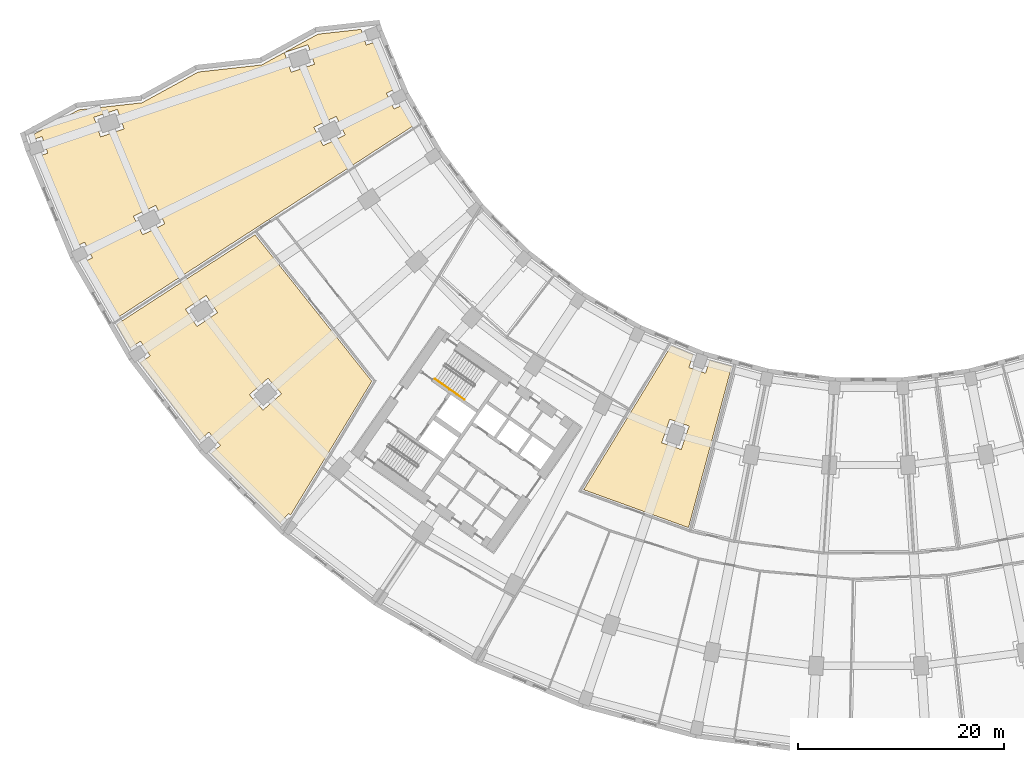
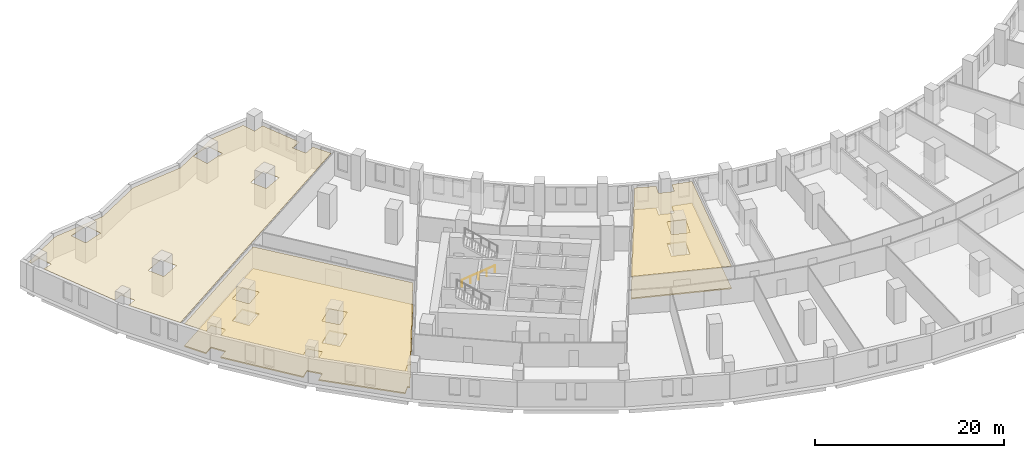
# One storey, part 16 of 20: 5 coverings, 1 railing.
"""IFC4 building model written with IfcOpenShell, lengths in metres."""

from ifc_helpers import new_model, si_unit, direction, frame, origin, origin_2d, place, context, subcontext, project, spatial, polyline, circle, outline, extrude, material, layer, layer_set, type_object, element, save


model = new_model("IFC4")

# Units and contexts
model_context = context("Model", 3, precision=1e-05, world=origin(), true_north=direction((0.0, 1.0)))
body_context = subcontext(model_context, "Body", "Model", "MODEL_VIEW")
ifc_project = project(units=[si_unit("LENGTHUNIT", "METRE"), si_unit("AREAUNIT", "SQUARE_METRE"), si_unit("VOLUMEUNIT", "CUBIC_METRE"), si_unit("PLANEANGLEUNIT", "RADIAN"), si_unit("MASSUNIT", "GRAM", prefix="KILO")], contexts=[model_context])

# Site, building, storey
site_placement = place(None, origin())
site = spatial("IfcSite", under=ifc_project, at=site_placement, CompositionType="ELEMENT")
building_placement = place(site_placement, origin())
building = spatial("IfcBuilding", under=site, at=building_placement, Name="Qamariyya Broadcast Tower", CompositionType="ELEMENT")
storey_placement = place(building_placement, frame((0.0, 0.0, 31.5)))
storey = spatial("IfcBuildingStorey", under=building, at=storey_placement, Name="L04", CompositionType="ELEMENT", Elevation=31.5)

# Coverings
ifc_material_1 = material(Name="Raised access floor")
ifc_layer_1 = layer(ifc_material_1, 0.14990234375)
ifc_layer_set_1 = layer_set([ifc_layer_1], Name="Raised access floor 150")
covering_type_1 = type_object("IfcCoveringType", Name="Raised access floor 150", PredefinedType="FLOORING", material=ifc_layer_set_1)
covering_1_placement = place(storey_placement, origin())
element("IfcCovering", 1, at=covering_1_placement, inside=storey, type_object=covering_type_1, Name="Flooring L04-F02", PredefinedType="FLOORING", context=body_context, shape_type="SweptSolid", body=[
    extrude(outline(polyline([(-19.132080078125, -46.566650390625), (-17.004150390625, -47.447998046875), (-17.42333984375, -48.68310546875), (-15.8134765625, -49.2294921875), (-15.394287109375, -47.99462890625), (-13.271240234375, -48.5634765625), (-17.460205078125, -64.196044921875), (-27.6181640625, -60.521728515625), (-19.132080078125, -46.566650390625)]), holes=[polyline([(-20.056396484375, -55.9736328125), (-18.16259765625, -56.616455078125), (-17.39111328125, -54.34375), (-19.28515625, -53.700927734375), (-20.056396484375, -55.9736328125)])]), origin(), (0.0, 0.0, 1.0), 0.14990234375),
])
covering_2_placement = place(storey_placement, origin())
element("IfcCovering", 2, at=covering_2_placement, inside=storey, type_object=covering_type_1, Name="Flooring L04-F09", PredefinedType="FLOORING", context=body_context, shape_type="SweptSolid", body=[
    extrude(outline(polyline([(-56.031494140625, -62.986572265625), (-56.221923828125, -62.819580078125), (-57.00830078125, -63.716552734375), (-63.716552734375, -57.00830078125), (-62.819580078125, -56.221923828125), (-63.9404296875, -54.94384765625), (-64.83740234375, -55.730224609375), (-70.6123046875, -48.2041015625), (-69.62060546875, -47.541259765625), (-70.565185546875, -46.1279296875), (-71.556884765625, -46.79052734375), (-72.88134765625, -44.49658203125), (-59.47216796875, -35.803466796875), (-48.15087890625, -50.012939453125), (-56.031494140625, -62.986572265625)]), holes=[polyline([(-58.212646484375, -49.72119140625), (-60.01708984375, -51.303466796875), (-58.698486328125, -52.80712890625), (-56.89404296875, -51.224853515625), (-58.212646484375, -49.72119140625)]), polyline([(-66.2001953125, -43.03076171875), (-65.0888671875, -44.69384765625), (-63.093505859375, -43.3603515625), (-64.20458984375, -41.697509765625), (-66.2001953125, -43.03076171875)])]), origin(), (0.0, 0.0, 1.0), 0.14990234375),
])

# Railing
ifc_material_2 = material(Name="Stainless steel", Category="steel")
railing_type = type_object("IfcRailingType", Name="Stair handrail", PredefinedType="HANDRAIL", material=ifc_material_2)
railing_placement = place(storey_placement, frame((-42.03564453125, -49.79443359375, 0.173095703125)))
element("IfcRailing", 3, at=railing_placement, inside=storey, type_object=railing_type, Name="L04 ST-W2 stair handrail 1", PredefinedType="HANDRAIL", context=body_context, shape_type="SweptSolid", body=[
    extrude(circle(Radius=0.02392578125, at=origin_2d()), frame((0.0, 0.0, 0.8759765625), z_axis=(0.703392637411, -0.492543525477, 0.512483827206), x_axis=(0.573594173421, 0.819139624372, 0.0)), (0.0, 0.0, 1.0), 4.052734375),
    extrude(circle(Radius=0.02099609375, at=origin_2d()), origin(), (0.0, 0.0, 1.0), 0.851806640625),
    extrude(circle(Radius=0.02099609375, at=origin_2d()), frame((0.712646484375, -0.4990234375, 0.519287109375)), (0.0, 0.0, 1.0), 0.851806640625),
    extrude(circle(Radius=0.02099609375, at=origin_2d()), frame((1.42529296875, -0.998046875, 1.03857421875)), (0.0, 0.0, 1.0), 0.851806640625),
    extrude(circle(Radius=0.02099609375, at=origin_2d()), frame((2.137939453125, -1.4970703125, 1.5576171875)), (0.0, 0.0, 1.0), 0.851806640625),
    extrude(circle(Radius=0.02099609375, at=origin_2d()), frame((2.8505859375, -1.99609375, 2.076904296875)), (0.0, 0.0, 1.0), 0.851806640625),
])

# Coverings
ifc_material_3 = material(Name="Perforated plasterboard ceiling")
ifc_layer_2 = layer(ifc_material_3, 0.06005859375)
ifc_layer_set_2 = layer_set([ifc_layer_2], Name="Suspended acoustic ceiling 60")
covering_type_2 = type_object("IfcCoveringType", Name="Suspended acoustic ceiling 60", PredefinedType="CEILING", material=ifc_layer_set_2)
covering_3_placement = place(storey_placement, frame((0.0, 0.0, 2.889892578125)))
element("IfcCovering", 4, at=covering_3_placement, inside=storey, type_object=covering_type_2, Name="Ceiling L04-C04", PredefinedType="CEILING", context=body_context, shape_type="SweptSolid", body=[
    extrude(outline(polyline([(-19.132080078125, -46.566650390625), (-17.004150390625, -47.447998046875), (-17.42333984375, -48.68310546875), (-15.8134765625, -49.2294921875), (-15.394287109375, -47.99462890625), (-13.271240234375, -48.5634765625), (-17.460205078125, -64.196044921875), (-27.6181640625, -60.521728515625), (-19.132080078125, -46.566650390625)]), holes=[polyline([(-20.056396484375, -55.9736328125), (-18.16259765625, -56.616455078125), (-17.39111328125, -54.34375), (-19.28515625, -53.700927734375), (-20.056396484375, -55.9736328125)])]), origin(), (0.0, 0.0, 1.0), 0.06005859375),
])
covering_4_placement = place(storey_placement, frame((0.0, 0.0, 2.889892578125)))
element("IfcCovering", 5, at=covering_4_placement, inside=storey, type_object=covering_type_2, Name="Ceiling L04-C11", PredefinedType="CEILING", context=body_context, shape_type="SweptSolid", body=[
    extrude(outline(polyline([(-56.031494140625, -62.986572265625), (-56.221923828125, -62.819580078125), (-57.00830078125, -63.716552734375), (-63.716552734375, -57.00830078125), (-62.819580078125, -56.221923828125), (-63.9404296875, -54.94384765625), (-64.83740234375, -55.730224609375), (-70.6123046875, -48.2041015625), (-69.62060546875, -47.541259765625), (-70.565185546875, -46.1279296875), (-71.556884765625, -46.79052734375), (-72.88134765625, -44.49658203125), (-59.47216796875, -35.803466796875), (-48.15087890625, -50.012939453125), (-56.031494140625, -62.986572265625)]), holes=[polyline([(-58.212646484375, -49.72119140625), (-60.01708984375, -51.303466796875), (-58.698486328125, -52.80712890625), (-56.89404296875, -51.224853515625), (-58.212646484375, -49.72119140625)]), polyline([(-66.2001953125, -43.03076171875), (-65.0888671875, -44.69384765625), (-63.093505859375, -43.3603515625), (-64.20458984375, -41.697509765625), (-66.2001953125, -43.03076171875)])]), origin(), (0.0, 0.0, 1.0), 0.06005859375),
])
covering_5_placement = place(storey_placement, frame((0.0, 0.0, 2.889892578125)))
element("IfcCovering", 6, at=covering_5_placement, inside=storey, type_object=covering_type_2, Name="Ceiling L04-C12", PredefinedType="CEILING", context=body_context, shape_type="SweptSolid", body=[
    extrude(outline(polyline([(-48.68310546875, -17.42333984375), (-47.447998046875, -17.004150390625), (-45.574462890625, -21.527099609375), (-46.744384765625, -22.10400390625), (-45.992431640625, -23.628662109375), (-44.82275390625, -23.0517578125), (-43.705810546875, -24.986328125), (-73.131591796875, -44.06298828125), (-76.30029296875, -38.574951171875), (-75.23046875, -38.04736328125), (-75.982421875, -36.522705078125), (-77.052001953125, -37.050048828125), (-80.682373046875, -28.28564453125), (-79.552978515625, -27.90234375), (-80.099365234375, -26.29248046875), (-81.274658203125, -26.69140625), (-81.388916015625, -26.34228515625), (-76.573486328125, -23.706787109375), (-70.420166015625, -23.019287109375), (-64.9716796875, -20.03759765625), (-58.81982421875, -19.3505859375), (-53.369140625, -16.368408203125), (-49.19921875, -15.90283203125), (-48.68310546875, -17.42333984375)]), holes=[polyline([(-53.761474609375, -25.397216796875), (-52.876708984375, -27.19091796875), (-50.724365234375, -26.12939453125), (-51.60888671875, -24.335693359375), (-53.761474609375, -25.397216796875)]), polyline([(-56.616455078125, -18.16259765625), (-55.9736328125, -20.056396484375), (-53.700927734375, -19.28515625), (-54.34375, -17.39111328125), (-56.616455078125, -18.16259765625)]), polyline([(-71.25048828125, -34.021728515625), (-70.36572265625, -35.815673828125), (-68.21337890625, -34.754150390625), (-69.097900390625, -32.960205078125), (-71.25048828125, -34.021728515625)]), polyline([(-72.808837890625, -23.6591796875), (-75.08154296875, -24.4306640625), (-74.438720703125, -26.324462890625), (-72.166015625, -25.55322265625), (-72.808837890625, -23.6591796875)])]), origin(), (0.0, 0.0, 1.0), 0.06005859375),
])

save(model, "model.ifc")
